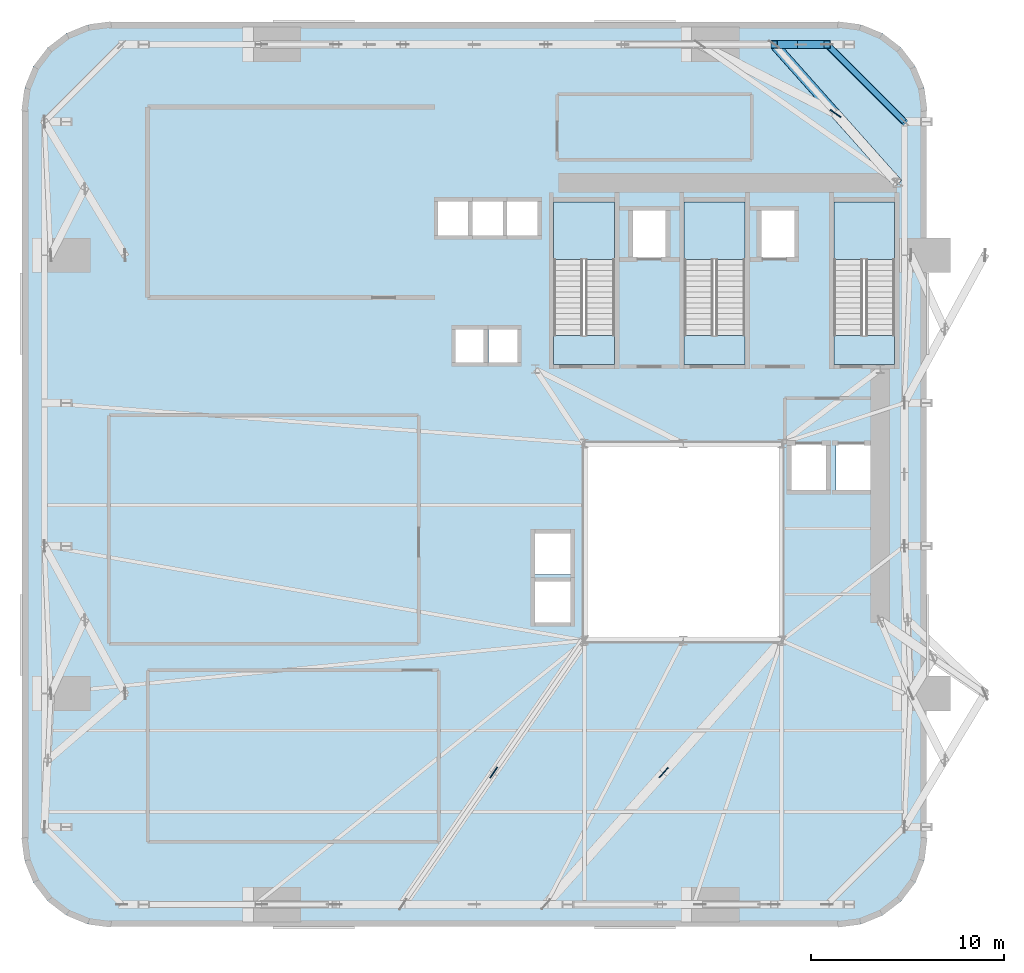
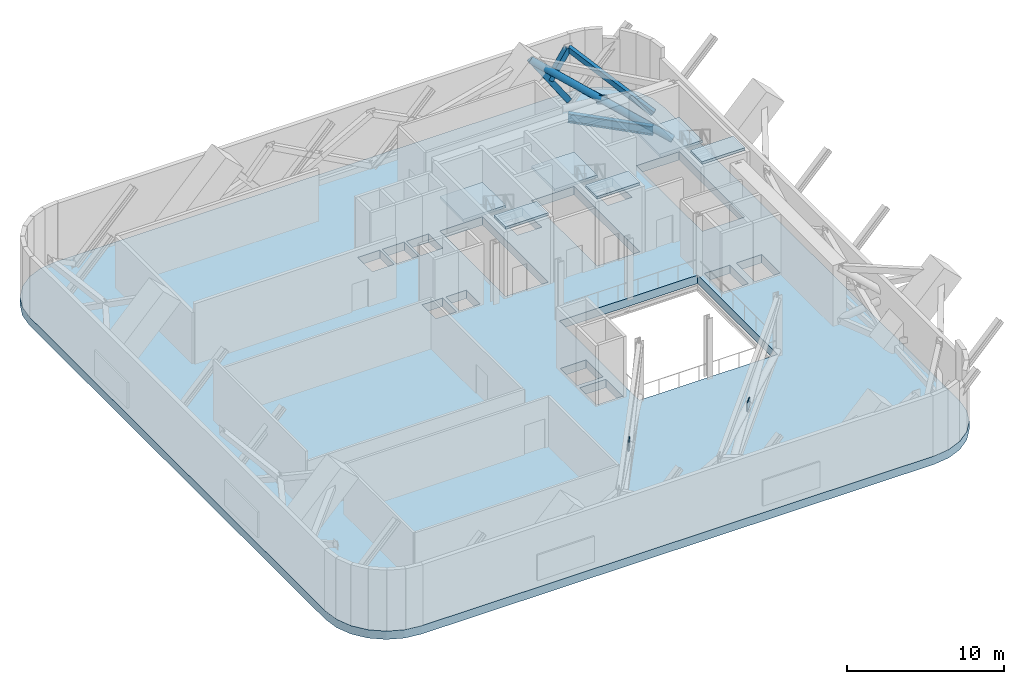
# One storey, part 4 of 12: 7 slabs, 4 members, 3 plates, 1 beam, 3 elements without a shape of their own.
"""IFC4 building model written with IfcOpenShell, lengths in metres."""

from ifc_helpers import new_model, si_unit, direction, frame, origin, origin_2d, place, context, subcontext, project, spatial, polyline, rectangle, hollow_rectangle, hollow_circle, i_section, outline, extrude, source, transform, mapped, material, layer, layer_set, material_profile, profile_set, type_object, element, aggregate, save


model = new_model("IFC4")

# Units and contexts
model_context = context("Model", 3, precision=1e-05, world=origin(), true_north=direction((0.0, 1.0)))
body_context = subcontext(model_context, "Body", "Model", "MODEL_VIEW")
ifc_project = project(units=[si_unit("LENGTHUNIT", "METRE"), si_unit("AREAUNIT", "SQUARE_METRE"), si_unit("VOLUMEUNIT", "CUBIC_METRE"), si_unit("PLANEANGLEUNIT", "RADIAN"), si_unit("MASSUNIT", "GRAM", prefix="KILO")], contexts=[model_context])

# Site, building, storey
site_placement = place(None, origin())
site = spatial("IfcSite", under=ifc_project, at=site_placement, CompositionType="ELEMENT")
building_placement = place(site_placement, origin())
building = spatial("IfcBuilding", under=site, at=building_placement, Name="Vardaveli Station Tower", CompositionType="ELEMENT")
storey_placement = place(building_placement, frame((0.0, 0.0, 93.300048828125)))
storey = spatial("IfcBuildingStorey", under=building, at=storey_placement, Name="L24", CompositionType="ELEMENT", Elevation=93.300048828125)

# Beam
ifc_material_1 = material(Name="Structural steel S460M", Category="steel")
ifc_material_profile_1 = material_profile(ifc_material_1, i_section(OverallWidth=0.303955078125, OverallDepth=0.716064453125, WebThickness=0.02099609375, FlangeThickness=0.0400390625, FilletRadius=0.027099609375, at=origin_2d()), Name="HEM 700")
ifc_profile_set_1 = profile_set([ifc_material_profile_1], Name="Structural steel S460M")
beam_type = type_object("IfcBeamType", Name="BM-HEM700", PredefinedType="BEAM", material=ifc_profile_set_1)
shared_shape_1 = source(origin(), body_context, "Body", "SweptSolid", [
    extrude(i_section(OverallWidth=0.303955078125, OverallDepth=0.716064453125, WebThickness=0.02099609375, FlangeThickness=0.0400390625, FilletRadius=0.027099609375, at=origin_2d()), origin(), (0.0, 0.0, 1.0), 5.61669921875),
])
beam_placement = place(storey_placement, frame((47.73583984375, 43.464111328125, -1.008056640625), z_axis=(-0.707106781187, 0.707106781187, 0.0), x_axis=(-0.707106781187, -0.707106781187, 0.0)))
element("IfcBeam", 1, at=beam_placement, inside=storey, type_object=beam_type, Name="RBM-L24-11", PredefinedType="BEAM", context=body_context, shape_type="MappedRepresentation", body=[
    mapped(shared_shape_1, transform((0.0, 0.0, 0.0), scale=1.0)),
])

# Members
ifc_material_profile_2 = material_profile(ifc_material_1, hollow_circle(Radius=0.25390625, WallThickness=0.02490234375, at=origin_2d()), Name="CHS 508x25")
ifc_profile_set_2 = profile_set([ifc_material_profile_2], Name="Structural steel S460M")
member_type_1 = type_object("IfcMemberType", Name="MEM-BR-CHS508", PredefinedType="BRACE", material=ifc_profile_set_2)
shared_shape_2 = source(origin(), body_context, "Body", "SweptSolid", [
    extrude(hollow_circle(Radius=0.25390625, WallThickness=0.02490234375, at=origin_2d()), origin(), (0.0, 0.0, 1.0), 10.39208984375),
])
member_1_placement = place(storey_placement, frame((47.3701171875, 40.300048828125, 0.349853515625), z_axis=(-0.612175401963, 0.688010162786, 0.389722071654), x_axis=(-0.747079886586, -0.664734264995, 0.0)))
element("IfcMember", 2, at=member_1_placement, inside=storey, type_object=member_type_1, Name="OUT-L24-OA4-D1", PredefinedType="BRACE", context=body_context, shape_type="MappedRepresentation", body=[
    mapped(shared_shape_2, transform((0.0, 0.0, 0.0), scale=1.0)),
])
ifc_material_profile_3 = material_profile(ifc_material_1, hollow_rectangle(XDim=0.39990234375, YDim=0.39990234375, WallThickness=0.02001953125, at=origin_2d()), Name="RHS 400x400x20")
ifc_profile_set_3 = profile_set([ifc_material_profile_3], Name="Structural steel S460M")
member_type_2 = type_object("IfcMemberType", Name="MEM-BR-RHS400", PredefinedType="BRACE", material=ifc_profile_set_3)
shared_shape_3 = source(origin(), body_context, "Body", "SweptSolid", [
    extrude(hollow_rectangle(XDim=0.39990234375, YDim=0.39990234375, WallThickness=0.02001953125, at=origin_2d()), origin(), (0.0, 0.0, 1.0), 4.890869140625),
])
member_2_placement = place(storey_placement, frame((43.75, 47.449951171875, 0.349853515625), z_axis=(-0.560584317928, 0.0, 0.828097350855), x_axis=(0.0, -1.0, 0.0)))
element("IfcMember", 3, at=member_2_placement, inside=storey, type_object=member_type_2, Name="BLT-L24-D1-09", PredefinedType="BRACE", context=body_context, shape_type="MappedRepresentation", body=[
    mapped(shared_shape_3, transform((0.0, 0.0, 0.0), scale=1.0)),
])
shared_shape_4 = source(origin(), body_context, "Body", "SweptSolid", [
    extrude(hollow_rectangle(XDim=0.39990234375, YDim=0.39990234375, WallThickness=0.02001953125, at=origin_2d()), origin(), (0.0, 0.0, 1.0), 2.4453125),
])
member_3_placement = place(storey_placement, frame((42.379150390625, 47.449951171875, 2.375), z_axis=(0.560607491734, 0.0, 0.828081662768), x_axis=(0.0, 1.0, 0.0)))
element("IfcMember", 4, at=member_3_placement, inside=storey, type_object=member_type_2, Name="BLT-L24-D2B-09", PredefinedType="BRACE", context=body_context, shape_type="MappedRepresentation", body=[
    mapped(shared_shape_4, transform((0.0, 0.0, 0.0), scale=1.0)),
])
ifc_material_profile_4 = material_profile(ifc_material_1, hollow_rectangle(XDim=0.35009765625, YDim=0.35009765625, WallThickness=0.01611328125, at=origin_2d()), Name="RHS 350x350x16")
ifc_profile_set_4 = profile_set([ifc_material_profile_4], Name="Structural steel S460M")
member_type_3 = type_object("IfcMemberType", Name="MEM-ST-RHS350", PredefinedType="STRUT", material=ifc_profile_set_4)
shared_shape_5 = source(origin(), body_context, "Body", "SweptSolid", [
    extrude(hollow_rectangle(XDim=0.35009765625, YDim=0.35009765625, WallThickness=0.01611328125, at=origin_2d()), origin(), (0.0, 0.0, 1.0), 6.957275390625),
])
member_4_placement = place(storey_placement, frame((47.75, 43.449951171875, 0.349853515625), z_axis=(-0.574942376987, 0.574942376987, 0.582136175039), x_axis=(-0.707106781187, -0.707106781187, 0.0)))
element("IfcMember", 5, at=member_4_placement, inside=storey, type_object=member_type_3, Name="STRUT-L24-3", PredefinedType="STRUT", context=body_context, shape_type="MappedRepresentation", body=[
    mapped(shared_shape_5, transform((0.0, 0.0, 0.0), scale=1.0)),
])

# Stair, slabs
ifc_material_2 = material(Name="Concrete C40/50", Category="concrete")
stair_type = type_object("IfcStairType", Name="STR-CORE-1500", PredefinedType="HALF_TURN_STAIR", material=ifc_material_2)
stair_1_placement = place(storey_placement, origin())
stair_1 = element("IfcStair", 6, at=stair_1_placement, inside=storey, type_object=stair_type, Name="L24 ST-1", PredefinedType="HALF_TURN_STAIR")
ifc_layer_1 = layer(ifc_material_2, 0.199951171875, Name="Concrete C40/50")
ifc_layer_set_1 = layer_set([ifc_layer_1], Name="Concrete C40/50")
slab_type_1 = type_object("IfcSlabType", Name="SLB-LAND-200", PredefinedType="LANDING", material=ifc_layer_set_1)
slab_1_placement = place(storey_placement, frame((0.0, 0.0, 2.5)))
slab_1 = element("IfcSlab", 7, at=slab_1_placement, type_object=slab_type_1, Name="ST-1 landing 1", PredefinedType="LANDING", context=body_context, shape_type="SweptSolid", body=[
    extrude(outline(polyline([(32.75, 36.320068359375), (32.75, 39.300048828125), (29.60009765625, 39.300048828125), (29.60009765625, 36.320068359375), (32.75, 36.320068359375)])), origin(), (0.0, 0.0, 1.0), 0.199951171875),
])
slab_2_placement = place(storey_placement, frame((0.0, 0.0, 5.199951171875)))
slab_2 = element("IfcSlab", 8, at=slab_2_placement, type_object=slab_type_1, Name="ST-1 landing 2", PredefinedType="LANDING", context=body_context, shape_type="SweptSolid", body=[
    extrude(outline(polyline([(32.75, 30.89990234375), (32.75, 32.39990234375), (29.60009765625, 32.39990234375), (29.60009765625, 30.89990234375), (32.75, 30.89990234375)])), origin(), (0.0, 0.0, 1.0), 0.199951171875),
])
aggregate(stair_1, [slab_1, slab_2])

stair_2_placement = place(storey_placement, origin())
stair_2 = element("IfcStair", 9, at=stair_2_placement, inside=storey, type_object=stair_type, Name="L24 ST-2", PredefinedType="HALF_TURN_STAIR")
slab_3_placement = place(storey_placement, frame((0.0, 0.0, 2.5)))
slab_3 = element("IfcSlab", 10, at=slab_3_placement, type_object=slab_type_1, Name="ST-2 landing 1", PredefinedType="LANDING", context=body_context, shape_type="SweptSolid", body=[
    extrude(outline(polyline([(39.5, 36.320068359375), (39.5, 39.300048828125), (36.35009765625, 39.300048828125), (36.35009765625, 36.320068359375), (39.5, 36.320068359375)])), origin(), (0.0, 0.0, 1.0), 0.199951171875),
])
slab_4_placement = place(storey_placement, frame((0.0, 0.0, 5.199951171875)))
slab_4 = element("IfcSlab", 11, at=slab_4_placement, type_object=slab_type_1, Name="ST-2 landing 2", PredefinedType="LANDING", context=body_context, shape_type="SweptSolid", body=[
    extrude(outline(polyline([(39.5, 30.89990234375), (39.5, 32.39990234375), (36.35009765625, 32.39990234375), (36.35009765625, 30.89990234375), (39.5, 30.89990234375)])), origin(), (0.0, 0.0, 1.0), 0.199951171875),
])
aggregate(stair_2, [slab_3, slab_4])

stair_3_placement = place(storey_placement, origin())
stair_3 = element("IfcStair", 12, at=stair_3_placement, inside=storey, type_object=stair_type, Name="L24 ST-3", PredefinedType="HALF_TURN_STAIR")
slab_5_placement = place(storey_placement, frame((0.0, 0.0, 2.5)))
slab_5 = element("IfcSlab", 13, at=slab_5_placement, type_object=slab_type_1, Name="ST-3 landing 1", PredefinedType="LANDING", context=body_context, shape_type="SweptSolid", body=[
    extrude(outline(polyline([(47.25, 36.320068359375), (47.25, 39.300048828125), (44.10009765625, 39.300048828125), (44.10009765625, 36.320068359375), (47.25, 36.320068359375)])), origin(), (0.0, 0.0, 1.0), 0.199951171875),
])
slab_6_placement = place(storey_placement, frame((0.0, 0.0, 5.199951171875)))
slab_6 = element("IfcSlab", 14, at=slab_6_placement, type_object=slab_type_1, Name="ST-3 landing 2", PredefinedType="LANDING", context=body_context, shape_type="SweptSolid", body=[
    extrude(outline(polyline([(47.25, 30.89990234375), (47.25, 32.39990234375), (44.10009765625, 32.39990234375), (44.10009765625, 30.89990234375), (47.25, 30.89990234375)])), origin(), (0.0, 0.0, 1.0), 0.199951171875),
])
aggregate(stair_3, [slab_5, slab_6])

# Slab
ifc_material_3 = material(Name="Concrete C50/60", Category="concrete")
ifc_layer_2 = layer(ifc_material_3, 0.64990234375, Name="Concrete C50/60")
ifc_layer_set_2 = layer_set([ifc_layer_2], Name="Concrete C50/60")
slab_type_2 = type_object("IfcSlabType", Name="SLB-TRANS-600", PredefinedType="FLOOR", material=ifc_layer_set_2)
slab_7_placement = place(storey_placement, frame((0.0, 0.0, -0.650146484375)))
element("IfcSlab", 15, at=slab_7_placement, inside=storey, type_object=slab_type_2, Name="SLB-L24-MAIN", PredefinedType="FLOOR", context=body_context, shape_type="SweptSolid", body=[
    extrude(outline(polyline([(2.10009765625, 6.300048828125), (2.25341796875, 5.13525390625), (2.702880859375, 4.050048828125), (3.41796875, 3.117919921875), (4.35009765625, 2.40283203125), (5.435302734375, 1.953369140625), (6.60009765625, 1.800048828125), (44.39990234375, 1.800048828125), (45.564697265625, 1.953369140625), (46.64990234375, 2.40283203125), (47.58203125, 3.117919921875), (48.297119140625, 4.050048828125), (48.74658203125, 5.13525390625), (48.89990234375, 6.300048828125), (48.89990234375, 44.10009765625), (48.74658203125, 45.2646484375), (48.297119140625, 46.35009765625), (47.58203125, 47.281982421875), (46.64990234375, 47.9970703125), (45.564697265625, 48.44677734375), (44.39990234375, 48.60009765625), (6.60009765625, 48.60009765625), (5.435302734375, 48.44677734375), (4.35009765625, 47.9970703125), (3.41796875, 47.281982421875), (2.702880859375, 46.35009765625), (2.25341796875, 45.2646484375), (2.10009765625, 44.10009765625), (2.10009765625, 6.300048828125)]), holes=[polyline([(31.199951171875, 16.60009765625), (41.39990234375, 16.60009765625), (41.39990234375, 26.800048828125), (31.199951171875, 26.800048828125), (31.199951171875, 16.60009765625)]), polyline([(32.75, 30.89990234375), (32.75, 39.300048828125), (29.60009765625, 39.300048828125), (29.60009765625, 30.89990234375), (32.75, 30.89990234375)]), polyline([(39.5, 30.89990234375), (39.5, 39.300048828125), (36.35009765625, 39.300048828125), (36.35009765625, 30.89990234375), (39.5, 30.89990234375)]), polyline([(47.25, 30.89990234375), (47.25, 39.300048828125), (44.10009765625, 39.300048828125), (44.10009765625, 30.89990234375), (47.25, 30.89990234375)]), polyline([(23.5849609375, 37.534912109375), (25.215087890625, 37.534912109375), (25.215087890625, 39.364990234375), (23.5849609375, 39.364990234375), (23.5849609375, 37.534912109375)]), polyline([(25.385009765625, 37.534912109375), (27.014892578125, 37.534912109375), (27.014892578125, 39.364990234375), (25.385009765625, 39.364990234375), (25.385009765625, 37.534912109375)]), polyline([(27.18505859375, 37.534912109375), (28.81494140625, 37.534912109375), (28.81494140625, 39.364990234375), (27.18505859375, 39.364990234375), (27.18505859375, 37.534912109375)]), polyline([(33.659912109375, 36.409912109375), (35.43994140625, 36.409912109375), (35.43994140625, 38.889892578125), (33.659912109375, 38.889892578125), (33.659912109375, 36.409912109375)]), polyline([(40.31005859375, 36.409912109375), (42.090087890625, 36.409912109375), (42.090087890625, 38.889892578125), (40.31005859375, 38.889892578125), (40.31005859375, 36.409912109375)]), polyline([(24.485107421875, 30.9599609375), (26.014892578125, 30.9599609375), (26.014892578125, 32.739990234375), (24.485107421875, 32.739990234375), (24.485107421875, 30.9599609375)]), polyline([(26.235107421875, 30.9599609375), (27.764892578125, 30.9599609375), (27.764892578125, 32.739990234375), (26.235107421875, 32.739990234375), (26.235107421875, 30.9599609375)]), polyline([(28.5849609375, 17.510009765625), (30.514892578125, 17.510009765625), (30.514892578125, 19.68994140625), (28.5849609375, 19.68994140625), (28.5849609375, 17.510009765625)]), polyline([(28.5849609375, 20.010009765625), (30.514892578125, 20.010009765625), (30.514892578125, 22.18994140625), (28.5849609375, 22.18994140625), (28.5849609375, 20.010009765625)]), polyline([(41.860107421875, 24.360107421875), (43.739990234375, 24.360107421875), (43.739990234375, 26.739990234375), (41.860107421875, 26.739990234375), (41.860107421875, 24.360107421875)]), polyline([(44.2099609375, 24.360107421875), (46.090087890625, 24.360107421875), (46.090087890625, 26.739990234375), (44.2099609375, 26.739990234375), (44.2099609375, 24.360107421875)])]), origin(), (0.0, 0.0, 1.0), 0.650146484375),
])

# Plates
ifc_layer_3 = layer(ifc_material_1, 0.06005859375, Name="Structural steel S460M")
ifc_layer_set_3 = layer_set([ifc_layer_3], Name="Structural steel S460M")
plate_type = type_object("IfcPlateType", Name="PLT-GUSSET-60", PredefinedType="USERDEFINED", material=ifc_layer_set_3)
shared_shape_6 = source(origin(), body_context, "Body", "SweptSolid", [
    extrude(rectangle(XDim=0.679931640625, YDim=0.06005859375, at=origin_2d()), origin(), (0.0, 0.0, 1.0), 0.679931640625),
])
for number, where, z_axis, x_axis, name in (
    (16, (26.5, 9.77490234375, 2.03515625), (0.0, 0.0, 1.0), (-0.567125206934, -0.823631592194, 0.0), "PLT-L24-OA1-X"),
    (17, (35.300048828125, 9.77490234375, 2.03515625), (0.0, 0.0, 1.0), (-0.666402349991, -0.74559232019, 0.0), "PLT-L24-OA2-X"),
    (18, (44.189208984375, 43.875, 2.03515625), (0.0, 0.0, 1.0), (-0.818851608095, 0.574005264714, 0.0), "PLT-L24-OA4-X"),
):
    element("IfcPlate", number, at=place(storey_placement, frame(where, z_axis=z_axis, x_axis=x_axis)), inside=storey, type_object=plate_type, Name=name, ObjectType="GUSSET PLATE", PredefinedType="USERDEFINED", context=body_context, shape_type="MappedRepresentation", body=[
        mapped(shared_shape_6, transform((0.0, 0.0, 0.0), scale=1.0)),
    ])

save(model, "model.ifc")
